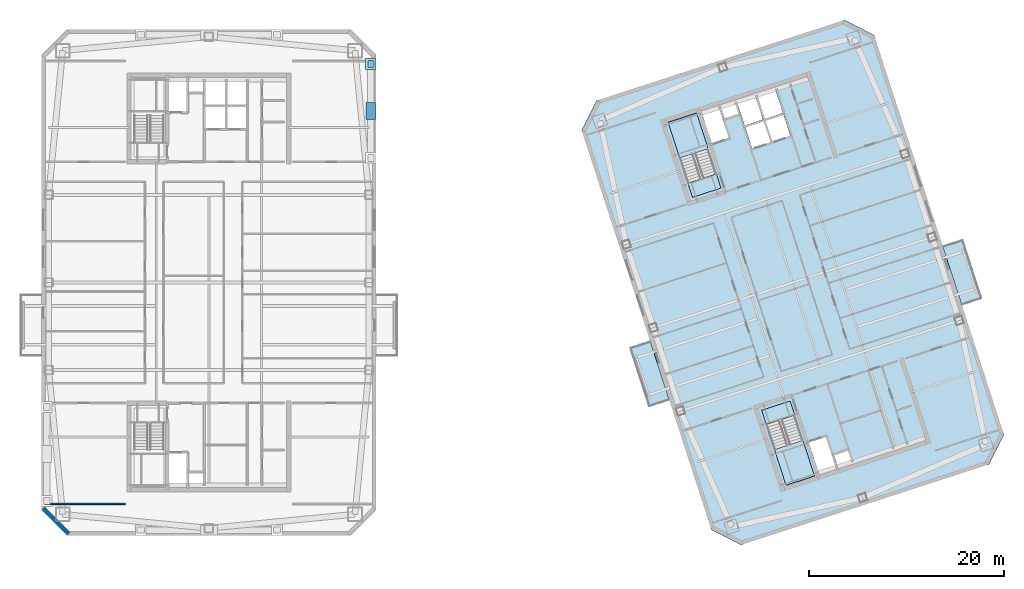
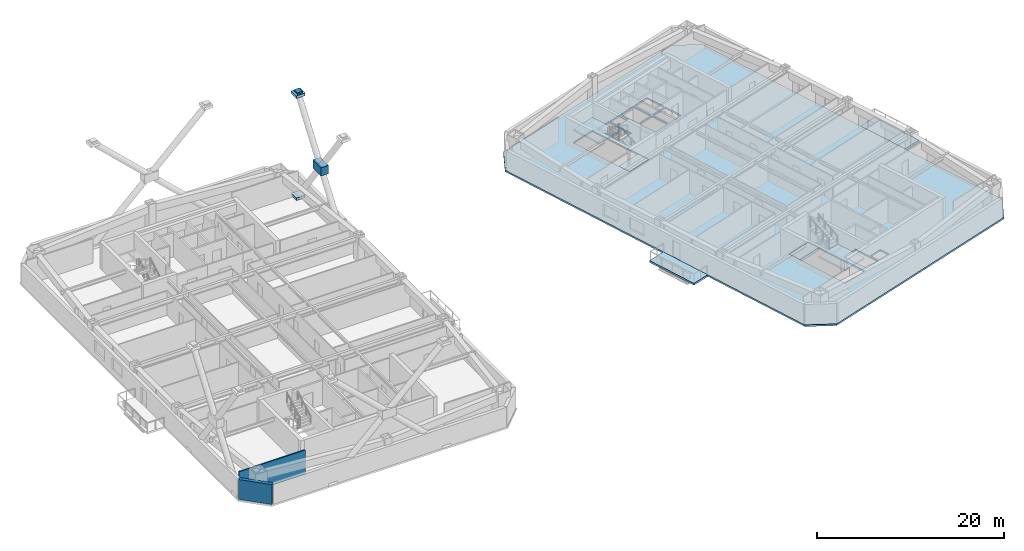
# One storey, part 5 of 16: 7 slabs, 4 plates, 2 walls, 2 elements without a shape of their own.
"""IFC4 building model written with IfcOpenShell, lengths in metres."""

from ifc_helpers import new_model, si_unit, direction, frame, frame_2d, origin, origin_2d, place, context, subcontext, project, spatial, polyline, rectangle, outline, extrude, material, layer, layer_set, type_object, element, aggregate, save


model = new_model("IFC4")

# Units and contexts
model_context = context("Model", 3, precision=1e-05, world=origin(), true_north=direction((0.0, 1.0)))
body_context = subcontext(model_context, "Body", "Model", "MODEL_VIEW")
ifc_project = project(units=[si_unit("LENGTHUNIT", "METRE"), si_unit("AREAUNIT", "SQUARE_METRE"), si_unit("VOLUMEUNIT", "CUBIC_METRE"), si_unit("PLANEANGLEUNIT", "RADIAN"), si_unit("MASSUNIT", "GRAM", prefix="KILO")], contexts=[model_context])

# Site, building, storey
site_placement = place(None, origin())
site = spatial("IfcSite", under=ifc_project, at=site_placement, CompositionType="ELEMENT")
building_placement = place(site_placement, origin())
building = spatial("IfcBuilding", under=site, at=building_placement, Name="Qiaolan Cultural Towers", CompositionType="ELEMENT")
storey_placement = place(building_placement, frame((0.0, 0.0, 188.60009765625)))
storey = spatial("IfcBuildingStorey", under=building, at=storey_placement, Name="L50", CompositionType="ELEMENT", Elevation=188.60009765625)

# Plates
ifc_material_1 = material(Name="Steel Q355B", Category="steel")
ifc_layer_1 = layer(ifc_material_1, 0.035888671875)
ifc_layer_set_1 = layer_set([ifc_layer_1], Name="Steel Q355B")
plate_type_1 = type_object("IfcPlateType", Name="PL-CONN-36", PredefinedType="USERDEFINED", material=ifc_layer_set_1)
plate_1_placement = place(storey_placement, frame((46.64990234375, 56.449951171875, 13.1298828125), z_axis=(0.0, 0.0, 1.0), x_axis=(0.0, 1.0, 0.0)))
element("IfcPlate", 1, at=plate_1_placement, inside=storey, type_object=plate_type_1, Name="L50 Brace End Connection Gusset Plate GP-02-0342", ObjectType="GUSSET_PLATE", PredefinedType="USERDEFINED", context=body_context, shape_type="SweptSolid", body=[
    extrude(rectangle(XDim=0.739990234375, YDim=0.6201171875, at=origin_2d()), origin(), (0.0, 0.0, 1.0), 0.739990234375),
])
ifc_material_2 = material(Name="Steel Q355B", Category="steel")
ifc_layer_2 = layer(ifc_material_2, 0.030029296875)
ifc_layer_set_2 = layer_set([ifc_layer_2], Name="Steel Q355B")
plate_type_2 = type_object("IfcPlateType", Name="PL-ENDCAP-30", PredefinedType="USERDEFINED", material=ifc_layer_set_2)
for number, where, z_axis, x_axis, name in (
    (2, (46.64990234375, 56.449951171875, -0.025146484375), (0.0, 0.0, 1.0), (0.0, 1.0, 0.0), "Hollow Brace End Seal Cap Plate CP-01"),
    (3, (46.64990234375, 56.449951171875, 13.324951171875), (0.0, 0.0, 1.0), (0.0, 1.0, 0.0), "Hollow Brace End Seal Cap Plate CP-01"),
):
    element("IfcPlate", number, at=place(storey_placement, frame(where, z_axis=z_axis, x_axis=x_axis)), inside=storey, type_object=plate_type_2, Name=name, ObjectType="BASE_PLATE", PredefinedType="USERDEFINED", context=body_context, shape_type="SweptSolid", body=[
        extrude(rectangle(XDim=1.10009765625, YDim=1.10009765625, at=origin_2d()), origin(), (0.0, 0.0, 1.0), 0.35009765625),
    ])
ifc_material_3 = material(Name="Steel Q390GJB", Category="steel")
ifc_layer_3 = layer(ifc_material_3, 0.0458984375)
ifc_layer_set_3 = layer_set([ifc_layer_3], Name="Steel Q390GJB")
plate_type_3 = type_object("IfcPlateType", Name="PL-NODE-ND11", PredefinedType="USERDEFINED", material=ifc_layer_set_3)
plate_2_placement = place(storey_placement, frame((46.64990234375, 51.625, 6.27490234375), z_axis=(0.0, 0.0, 1.0), x_axis=(0.0, 1.0, 0.0)))
element("IfcPlate", 4, at=plate_2_placement, inside=storey, type_object=plate_type_3, Name="Perimeter Frame Gusset Node Assembly ND-11", ObjectType="GUSSET_PLATE", PredefinedType="USERDEFINED", context=body_context, shape_type="SweptSolid", body=[
    extrude(rectangle(XDim=1.760009765625, YDim=0.9599609375, at=origin_2d()), origin(), (0.0, 0.0, 1.0), 1.10009765625),
])

# Slabs
ifc_material_4 = material(Name="Concrete C45", Category="concrete")
ifc_layer_4 = layer(ifc_material_4, 0.239990234375)
ifc_layer_set_4 = layer_set([ifc_layer_4], Name="Concrete C45")
slab_type_1 = type_object("IfcSlabType", Name="SL-BAL-240", PredefinedType="FLOOR", material=ifc_layer_set_4)
slab_1_placement = place(storey_placement, frame((0.0, 0.0, -0.239990234375)))
element("IfcSlab", 5, at=slab_1_placement, inside=storey, type_object=slab_type_1, Name="L50 T2 Planted Tree Balcony W", PredefinedType="FLOOR", context=body_context, shape_type="SweptSolid", body=[
    extrude(outline(polyline([(75.2294921875, 21.209716796875), (77.32177734375, 21.889404296875), (75.34423828125, 27.976318359375), (73.251708984375, 27.29638671875), (75.2294921875, 21.209716796875)])), origin(), (0.0, 0.0, 1.0), 0.239990234375),
])
slab_2_placement = place(storey_placement, frame((0.0, 0.0, -0.239990234375)))
element("IfcSlab", 6, at=slab_2_placement, inside=storey, type_object=slab_type_1, Name="L50 T2 Planted Tree Balcony E", PredefinedType="FLOOR", context=body_context, shape_type="SweptSolid", body=[
    extrude(outline(polyline([(107.375244140625, 31.654541015625), (109.467529296875, 32.334228515625), (107.48974609375, 38.421142578125), (105.3974609375, 37.7412109375), (107.375244140625, 31.654541015625)])), origin(), (0.0, 0.0, 1.0), 0.239990234375),
])

# Stair, slab
ifc_material_5 = material(Name="Concrete C45", Category="concrete")
stair_type = type_object("IfcStairType", Name="STR-CORE-1500", PredefinedType="HALF_TURN_STAIR", material=ifc_material_5)
stair_1_placement = place(storey_placement, origin())
stair_1 = element("IfcStair", 7, at=stair_1_placement, inside=storey, type_object=stair_type, Name="L50 Smokeproof Exit Stair ST-E1", PredefinedType="HALF_TURN_STAIR")
ifc_material_6 = material(Name="Concrete C45", Category="concrete")
ifc_layer_5 = layer(ifc_material_6, 0.199951171875)
ifc_layer_set_5 = layer_set([ifc_layer_5], Name="Concrete C45")
slab_type_2 = type_object("IfcSlabType", Name="SL-STAIR-LAND", PredefinedType="LANDING", material=ifc_layer_set_5)
slab_3_placement = place(storey_placement, frame((0.0, 0.0, 1.52490234375)))
slab_3 = element("IfcSlab", 8, at=slab_3_placement, type_object=slab_type_2, Name="ST-E1 landing 1", PredefinedType="LANDING", context=body_context, shape_type="SweptSolid", body=[
    extrude(outline(polyline([(88.114013671875, 16.828125), (89.30419921875, 13.165283203125), (92.2333984375, 14.116943359375), (91.04345703125, 17.77978515625), (88.114013671875, 16.828125)])), origin(), (0.0, 0.0, 1.0), 0.199951171875),
])
aggregate(stair_1, [slab_3])

stair_2_placement = place(storey_placement, origin())
stair_2 = element("IfcStair", 9, at=stair_2_placement, inside=storey, type_object=stair_type, Name="L50 Smokeproof Exit Stair ST-E2", PredefinedType="HALF_TURN_STAIR")
slab_4_placement = place(storey_placement, frame((0.0, 0.0, 1.52490234375)))
slab_4 = element("IfcSlab", 10, at=slab_4_placement, type_object=slab_type_2, Name="ST-E2 landing 1", PredefinedType="LANDING", context=body_context, shape_type="SweptSolid", body=[
    extrude(outline(polyline([(81.31005859375, 47.735595703125), (80.1201171875, 51.3984375), (77.190673828125, 50.44677734375), (78.380859375, 46.783935546875), (81.31005859375, 47.735595703125)])), origin(), (0.0, 0.0, 1.0), 0.199951171875),
])
aggregate(stair_2, [slab_4])

# Slabs
ifc_material_7 = material(Name="Concrete C40", Category="concrete")
ifc_layer_6 = layer(ifc_material_7, 0.360107421875)
ifc_layer_set_6 = layer_set([ifc_layer_6], Name="Concrete C40")
slab_type_3 = type_object("IfcSlabType", Name="SL-STFLR-360", PredefinedType="LANDING", material=ifc_layer_set_6)
slab_5_placement = place(storey_placement, frame((0.0, 0.0, -0.360107421875)))
element("IfcSlab", 11, at=slab_5_placement, inside=storey, type_object=slab_type_3, Name="L50 ST-E1 Stair Floor Landing Slab", PredefinedType="LANDING", context=body_context, shape_type="SweptSolid", body=[
    extrude(outline(polyline([(86.8037109375, 20.867431640625), (87.282470703125, 19.39404296875), (90.2080078125, 20.3447265625), (89.729248046875, 21.818115234375), (86.8037109375, 20.867431640625)])), origin(), (0.0, 0.0, 1.0), 0.360107421875),
])
slab_6_placement = place(storey_placement, frame((0.0, 0.0, -0.360107421875)))
element("IfcSlab", 12, at=slab_6_placement, inside=storey, type_object=slab_type_3, Name="L50 ST-E2 Stair Floor Landing Slab", PredefinedType="LANDING", context=body_context, shape_type="SweptSolid", body=[
    extrude(outline(polyline([(82.62060546875, 43.6962890625), (82.141845703125, 45.169677734375), (79.21630859375, 44.21923828125), (79.695068359375, 42.74560546875), (82.62060546875, 43.6962890625)])), origin(), (0.0, 0.0, 1.0), 0.360107421875),
])
ifc_material_8 = material(Name="Concrete C45", Category="concrete")
ifc_layer_7 = layer(ifc_material_8, 0.219970703125)
ifc_layer_set_7 = layer_set([ifc_layer_7], Name="Concrete C45")
slab_type_4 = type_object("IfcSlabType", Name="SL-TYP-220", PredefinedType="FLOOR", material=ifc_layer_set_7)
slab_7_placement = place(storey_placement, frame((0.0, 0.0, -0.22021484375)))
element("IfcSlab", 13, at=slab_7_placement, inside=storey, type_object=slab_type_4, Name="L50 East Tower Floor Slab", PredefinedType="FLOOR", context=body_context, shape_type="SweptSolid", body=[
    extrude(outline(polyline([(84.67236328125, 7.033935546875), (110.16064453125, 15.3154296875), (111.701416015625, 18.339599609375), (98.351806640625, 59.42529296875), (95.32763671875, 60.966064453125), (69.83935546875, 52.6845703125), (68.298583984375, 49.660400390625), (81.648193359375, 8.57470703125), (84.67236328125, 7.033935546875)]), holes=[polyline([(86.80126953125, 20.868896484375), (89.30419921875, 13.165283203125), (92.2333984375, 14.116943359375), (89.73046875, 21.820556640625), (86.80126953125, 20.868896484375)]), polyline([(82.623046875, 43.69482421875), (80.1201171875, 51.3984375), (77.190673828125, 50.44677734375), (79.69384765625, 42.7431640625), (82.623046875, 43.69482421875)]), polyline([(92.666259765625, 14.468017578125), (94.42578125, 15.03955078125), (93.42138671875, 18.130615234375), (91.661865234375, 17.558837890625), (92.666259765625, 14.468017578125)]), polyline([(94.5908203125, 15.14599609375), (96.027099609375, 15.612548828125), (95.66552734375, 16.725341796875), (94.2294921875, 16.258544921875), (94.5908203125, 15.14599609375)]), polyline([(81.6806640625, 48.278076171875), (83.440185546875, 48.849609375), (82.435791015625, 51.940673828125), (80.67626953125, 51.368896484375), (81.6806640625, 48.278076171875)]), polyline([(82.993408203125, 50.839111328125), (84.4296875, 51.3056640625), (84.068115234375, 52.41845703125), (82.632080078125, 51.95166015625), (82.993408203125, 50.839111328125)]), polyline([(85.810302734375, 47.80078125), (87.71240234375, 48.418701171875), (87.013916015625, 50.568115234375), (85.11181640625, 49.9501953125), (85.810302734375, 47.80078125)]), polyline([(87.902587890625, 48.480712890625), (89.74755859375, 49.080078125), (89.04931640625, 51.2294921875), (87.2041015625, 50.6298828125), (87.902587890625, 48.480712890625)]), polyline([(85.05322265625, 50.130859375), (86.936279296875, 50.74267578125), (86.169921875, 53.101318359375), (84.286865234375, 52.489501953125), (85.05322265625, 50.130859375)]), polyline([(87.1455078125, 50.810791015625), (88.990478515625, 51.41015625), (88.22412109375, 53.768798828125), (86.379150390625, 53.169189453125), (87.1455078125, 50.810791015625)])]), origin(), (0.0, 0.0, 1.0), 0.22021484375),
])

# Walls
ifc_material_9 = material(Name="Precast Concrete C50 Honed Stone Pier", Category="masonry")
ifc_layer_8 = layer(ifc_material_9, 0.39990234375)
ifc_layer_set_8 = layer_set([ifc_layer_8], Name="Precast Concrete C50 Honed Stone Pier")
wall_type_1 = type_object("IfcWallType", Name="WL-EXT-PIER-400", PredefinedType="SOLIDWALL", material=ifc_layer_set_8)
wall_1_placement = place(storey_placement, frame((15.60009765625, 8.199951171875, 0.0), z_axis=(0.0, 0.0, 1.0), x_axis=(-0.707106781187, 0.707106781187, 0.0)))
element("IfcWall", 14, at=wall_1_placement, inside=storey, type_object=wall_type_1, Name="L50 West Tower Precast Pier Facade Wall F8", PredefinedType="SOLIDWALL", context=body_context, shape_type="SweptSolid", body=[
    extrude(rectangle(XDim=3.677001953125, YDim=0.39990234375, at=frame_2d((1.83837890625, 0.0))), origin(), (0.0, 0.0, 1.0), 2.60986328125),
])
ifc_material_10 = material(Name="Autoclaved Aerated Concrete Block B06", Category="concrete")
ifc_layer_9 = layer(ifc_material_10, 0.14990234375)
ifc_layer_set_9 = layer_set([ifc_layer_9], Name="Autoclaved Aerated Concrete Block B06")
wall_type_2 = type_object("IfcWallType", Name="WL-PART-150", PredefinedType="PARTITIONING", material=ifc_layer_set_9)
wall_2_placement = place(storey_placement, frame((13.199951171875, 11.25, 0.0), z_axis=(0.0, 0.0, 1.0), x_axis=(1.0, 0.0, 0.0)))
element("IfcWall", 15, at=wall_2_placement, inside=storey, type_object=wall_type_2, Name="L50 T1 Flank Wall FLK-SW", PredefinedType="PARTITIONING", context=body_context, shape_type="SweptSolid", body=[
    extrude(rectangle(XDim=8.199951171875, YDim=0.14990234375, at=frame_2d((4.10009765625, 0.0))), origin(), (0.0, 0.0, 1.0), 3.1748046875),
])

save(model, "model.ifc")
